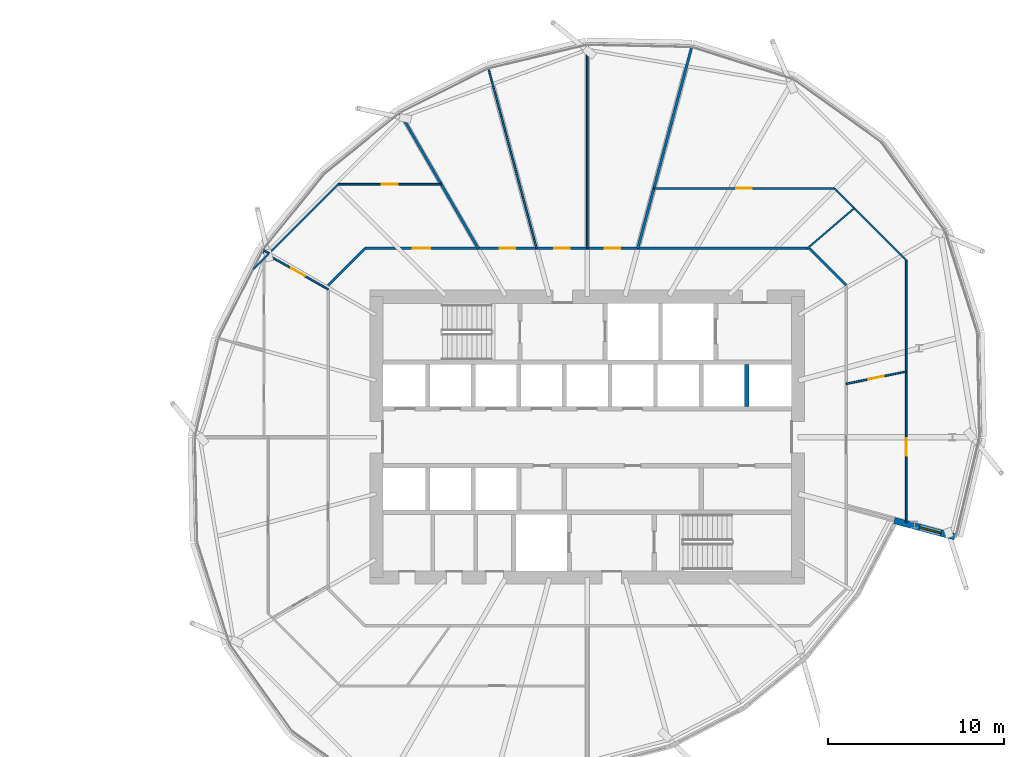
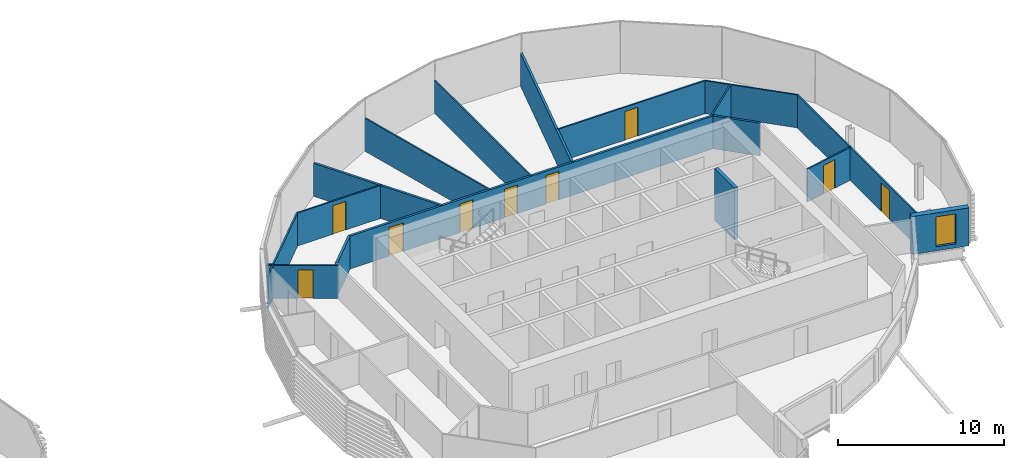
# One storey, part 26 of 40: 19 walls, 9 doors, 1 window, 10 openings.
"""IFC4 building model written with IfcOpenShell, lengths in metres."""

from ifc_helpers import new_model, si_unit, direction, frame, frame_2d, origin, place, context, subcontext, project, spatial, rectangle, extrude, material, layer, layer_set, type_object, element, fill, save


model = new_model("IFC4")

# Units and contexts
model_context = context("Model", 3, precision=1e-05, world=origin(), true_north=direction((0.0, 1.0)))
body_context = subcontext(model_context, "Body", "Model", "MODEL_VIEW")
ifc_project = project(units=[si_unit("LENGTHUNIT", "METRE"), si_unit("AREAUNIT", "SQUARE_METRE"), si_unit("VOLUMEUNIT", "CUBIC_METRE"), si_unit("PLANEANGLEUNIT", "RADIAN"), si_unit("MASSUNIT", "GRAM", prefix="KILO")], contexts=[model_context])

# Site, building, storey
site_placement = place(None, origin())
site = spatial("IfcSite", under=ifc_project, at=site_placement, CompositionType="ELEMENT")
building_placement = place(site_placement, origin())
building = spatial("IfcBuilding", under=site, at=building_placement, Name="Rimbun Link Towers", CompositionType="ELEMENT")
storey_placement = place(building_placement, frame((0.0, 0.0, 89.199951171875)))
storey = spatial("IfcBuildingStorey", under=building, at=storey_placement, Name="L21", CompositionType="ELEMENT", Elevation=89.199951171875)

# Wall, opening, window
ifc_material_1 = material(Name="Dark enamelled glass spandrel on insulated aluminium backpan", Category="aluminium")
ifc_layer_1 = layer(ifc_material_1, 0.3701171875)
ifc_layer_set_1 = layer_set([ifc_layer_1], Name="CS dark enamelled spandrel wall 370")
wall_type_1 = type_object("IfcWallType", Name="CS dark enamelled spandrel wall 370", PredefinedType="STANDARD", material=ifc_layer_set_1)
wall_1_placement = place(storey_placement, frame((52.697509765625, -5.68017578125, 0.0), z_axis=(0.0, 0.0, 1.0), x_axis=(-0.965929787715, 0.258804260405, 0.0)))
wall_1 = element("IfcWall", 1, at=wall_1_placement, inside=storey, type_object=wall_type_1, Name="Crease spandrel wall", PredefinedType="STANDARD", context=body_context, shape_type="SweptSolid", body=[
    extrude(rectangle(XDim=3.580078125, YDim=0.3701171875, at=frame_2d((1.7900390625, 0.0))), origin(), (0.0, 0.0, 1.0), 2.78955078125),
])
opening_1_placement = place(wall_1_placement, frame((0.83056640625, 0.0, 0.300048828125)))
opening_1 = element("IfcOpeningElement", 2, at=opening_1_placement, cuts=wall_1, Name="Opening WR12H220", PredefinedType="OPENING", context=body_context, shape_type="SweptSolid", body=[
    extrude(rectangle(XDim=1.25, YDim=2.199951171875, at=frame_2d((0.625, 1.10009765625))), frame((0.0, 0.195068359375, 0.0), z_axis=(0.0, -1.0, 0.0), x_axis=(1.0, 0.0, 0.0)), (0.0, 0.0, 1.0), 0.39013671875),
])
ifc_material_2 = material(Name="Aluminium framed fixed window, dark tinted low-e glass", Category="aluminium")
window_type = type_object("IfcWindowType", Name="WR ribbon window 1250X2200", PartitioningType="SINGLE_PANEL", PredefinedType="WINDOW", material=ifc_material_2)
window_placement = place(opening_1_placement, origin())
window = element("IfcWindow", 3, at=window_placement, inside=storey, type_object=window_type, Name="Crease ribbon window", OverallHeight=2.199951171875, OverallWidth=1.25, PartitioningType="SINGLE_PANEL", PredefinedType="WINDOW", context=body_context, shape_type="SweptSolid", body=[
    extrude(rectangle(XDim=1.25, YDim=2.199951171875, at=frame_2d((0.625, 1.10009765625))), frame((0.0, 0.030029296875, 0.0), z_axis=(0.0, -1.0, 0.0), x_axis=(1.0, 0.0, 0.0)), (0.0, 0.0, 1.0), 0.06005859375),
])
fill(opening_1, window)

# Wall, openings, doors
ifc_material_3 = material(Name="Plasterboard on steel stud, mineral wool", Category="steel")
ifc_layer_2 = layer(ifc_material_3, 0.14990234375)
ifc_layer_set_2 = layer_set([ifc_layer_2], Name="Corridor wall EI 30 150 mm")
wall_type_2 = type_object("IfcWallType", Name="Corridor wall EI 30 150 mm", PredefinedType="PARTITIONING", material=ifc_layer_set_2)
wall_2_placement = place(storey_placement, frame((19.098388671875, 10.75, 0.0), z_axis=(0.0, 0.0, 1.0), x_axis=(1.0, 0.0, 0.0)))
wall_2 = element("IfcWall", 4, at=wall_2_placement, inside=storey, type_object=wall_type_2, Name="Corridor wall EI 30 150 mm", PredefinedType="PARTITIONING", context=body_context, shape_type="SweptSolid", body=[
    extrude(rectangle(XDim=25.30322265625, YDim=0.14990234375, at=frame_2d((12.651611328125, 0.0))), origin(), (0.0, 0.0, 1.0), 2.420166015625),
])
opening_2_placement = place(wall_2_placement, frame((13.641845703125, 0.0, 0.0)))
opening_2 = element("IfcOpeningElement", 5, at=opening_2_placement, cuts=wall_2, Name="Opening D02", PredefinedType="OPENING", context=body_context, shape_type="SweptSolid", body=[
    extrude(rectangle(XDim=0.89990234375, YDim=2.10009765625, at=frame_2d((0.449951171875, 1.050048828125))), frame((0.0, 0.0849609375, 0.0), z_axis=(0.0, -1.0, 0.0), x_axis=(1.0, 0.0, 0.0)), (0.0, 0.0, 1.0), 0.169921875),
])
opening_3_placement = place(wall_2_placement, frame((10.761474609375, 0.0, 0.0)))
opening_3 = element("IfcOpeningElement", 6, at=opening_3_placement, cuts=wall_2, Name="Opening D02", PredefinedType="OPENING", context=body_context, shape_type="SweptSolid", body=[
    extrude(rectangle(XDim=0.89990234375, YDim=2.10009765625, at=frame_2d((0.449951171875, 1.050048828125))), frame((0.0, 0.0849609375, 0.0), z_axis=(0.0, -1.0, 0.0), x_axis=(1.0, 0.0, 0.0)), (0.0, 0.0, 1.0), 0.169921875),
])
opening_4_placement = place(wall_2_placement, frame((7.658203125, 0.0, 0.0)))
opening_4 = element("IfcOpeningElement", 7, at=opening_4_placement, cuts=wall_2, Name="Opening D02", PredefinedType="OPENING", context=body_context, shape_type="SweptSolid", body=[
    extrude(rectangle(XDim=0.89990234375, YDim=2.10009765625, at=frame_2d((0.449951171875, 1.050048828125))), frame((0.0, 0.0849609375, 0.0), z_axis=(0.0, -1.0, 0.0), x_axis=(1.0, 0.0, 0.0)), (0.0, 0.0, 1.0), 0.169921875),
])
opening_5_placement = place(wall_2_placement, frame((2.72265625, 0.0, 0.0)))
opening_5 = element("IfcOpeningElement", 8, at=opening_5_placement, cuts=wall_2, Name="Opening D01", PredefinedType="OPENING", context=body_context, shape_type="SweptSolid", body=[
    extrude(rectangle(XDim=1.0, YDim=2.10009765625, at=frame_2d((0.5, 1.050048828125))), frame((0.0, 0.0849609375, 0.0), z_axis=(0.0, -1.0, 0.0), x_axis=(1.0, 0.0, 0.0)), (0.0, 0.0, 1.0), 0.169921875),
])
ifc_material_4 = material(Name="Fire-resisting timber door leaf", Category="wood")
door_type_1 = type_object("IfcDoorType", Name="Fire door FD30S 1000", OperationType="NOTDEFINED", PredefinedType="DOOR", material=ifc_material_4)
door_1_placement = place(opening_5_placement, origin())
door_1 = element("IfcDoor", 9, at=door_1_placement, inside=storey, type_object=door_type_1, Name="Fire door FD30S 1000 to Reception", OperationType="SINGLE_SWING_LEFT", OverallHeight=2.10009765625, OverallWidth=1.0, PredefinedType="DOOR", context=body_context, shape_type="SweptSolid", body=[
    extrude(rectangle(XDim=1.0, YDim=2.10009765625, at=frame_2d((0.5, 1.050048828125))), frame((0.0, 0.02490234375, 0.0), z_axis=(0.0, -1.0, 0.0), x_axis=(1.0, 0.0, 0.0)), (0.0, 0.0, 1.0), 0.050048828125),
])
fill(opening_5, door_1)
ifc_material_5 = material(Name="Fire-resisting timber door leaf", Category="wood")
door_type_2 = type_object("IfcDoorType", Name="Fire door FD30S 900", OperationType="NOTDEFINED", PredefinedType="DOOR", material=ifc_material_5)
door_2_placement = place(opening_2_placement, origin())
door_2 = element("IfcDoor", 10, at=door_2_placement, inside=storey, type_object=door_type_2, Name="Fire door FD30S 900 to Cellular office", OperationType="SINGLE_SWING_RIGHT", OverallHeight=2.10009765625, OverallWidth=0.89990234375, PredefinedType="DOOR", context=body_context, shape_type="SweptSolid", body=[
    extrude(rectangle(XDim=0.89990234375, YDim=2.10009765625, at=frame_2d((0.449951171875, 1.050048828125))), frame((0.0, 0.02490234375, 0.0), z_axis=(0.0, -1.0, 0.0), x_axis=(1.0, 0.0, 0.0)), (0.0, 0.0, 1.0), 0.050048828125),
])
fill(opening_2, door_2)
door_3_placement = place(opening_3_placement, origin())
door_3 = element("IfcDoor", 11, at=door_3_placement, inside=storey, type_object=door_type_2, Name="Fire door FD30S 900 to Meeting room", OperationType="SINGLE_SWING_LEFT", OverallHeight=2.10009765625, OverallWidth=0.89990234375, PredefinedType="DOOR", context=body_context, shape_type="SweptSolid", body=[
    extrude(rectangle(XDim=0.89990234375, YDim=2.10009765625, at=frame_2d((0.449951171875, 1.050048828125))), frame((0.0, 0.02490234375, 0.0), z_axis=(0.0, -1.0, 0.0), x_axis=(1.0, 0.0, 0.0)), (0.0, 0.0, 1.0), 0.050048828125),
])
fill(opening_3, door_3)
door_4_placement = place(opening_4_placement, origin())
door_4 = element("IfcDoor", 12, at=door_4_placement, inside=storey, type_object=door_type_2, Name="Fire door FD30S 900 to Meeting room", OperationType="SINGLE_SWING_RIGHT", OverallHeight=2.10009765625, OverallWidth=0.89990234375, PredefinedType="DOOR", context=body_context, shape_type="SweptSolid", body=[
    extrude(rectangle(XDim=0.89990234375, YDim=2.10009765625, at=frame_2d((0.449951171875, 1.050048828125))), frame((0.0, 0.02490234375, 0.0), z_axis=(0.0, -1.0, 0.0), x_axis=(1.0, 0.0, 0.0)), (0.0, 0.0, 1.0), 0.050048828125),
])
fill(opening_4, door_4)

# Walls
for number, where, z_axis, x_axis, name in (
    (13, (46.5, 8.651611328125, 0.0), (0.0, 0.0, 1.0), (-0.707106781187, 0.707106781187, 0.0), "Corridor wall EI 30 150 mm"),
    (14, (19.098388671875, 10.75, 0.0), (0.0, 0.0, 1.0), (-0.707106781187, -0.707106781187, 0.0), "Corridor wall EI 30 150 mm"),
):
    element("IfcWall", number, at=place(storey_placement, frame(where, z_axis=z_axis, x_axis=x_axis)), inside=storey, type_object=wall_type_2, Name=name, PredefinedType="PARTITIONING", context=body_context, shape_type="SweptSolid", body=[
        extrude(rectangle(XDim=2.967529296875, YDim=0.14990234375, at=frame_2d((1.48388671875, 0.0))), origin(), (0.0, 0.0, 1.0), 2.420166015625),
    ])

# Wall, opening, door
ifc_material_6 = material(Name="Plasterboard on steel stud", Category="steel")
ifc_layer_3 = layer(ifc_material_6, 0.10009765625)
ifc_layer_set_3 = layer_set([ifc_layer_3], Name="Plasterboard partition 100 mm")
wall_type_3 = type_object("IfcWallType", Name="Plasterboard partition 100 mm", PredefinedType="PARTITIONING", material=ifc_layer_set_3)
wall_3_placement = place(storey_placement, frame((46.5, 3.032958984375, 0.0), z_axis=(0.0, 0.0, 1.0), x_axis=(0.979498454858, 0.201451673933, 0.0)))
wall_3 = element("IfcWall", 15, at=wall_3_placement, inside=storey, type_object=wall_type_3, Name="Plasterboard partition 100 mm", PredefinedType="PARTITIONING", context=body_context, shape_type="SweptSolid", body=[
    extrude(rectangle(XDim=3.491455078125, YDim=0.10009765625, at=frame_2d((1.74560546875, 0.0))), origin(), (0.0, 0.0, 1.0), 2.420166015625),
])
opening_6_placement = place(wall_3_placement, frame((1.2958984375, 0.0, 0.0)))
opening_6 = element("IfcOpeningElement", 16, at=opening_6_placement, cuts=wall_3, Name="Opening D04", PredefinedType="OPENING", context=body_context, shape_type="SweptSolid", body=[
    extrude(rectangle(XDim=0.89990234375, YDim=2.10009765625, at=frame_2d((0.449951171875, 1.050048828125))), frame((0.0, 0.06005859375, 0.0), z_axis=(0.0, -1.0, 0.0), x_axis=(1.0, 0.0, 0.0)), (0.0, 0.0, 1.0), 0.1201171875),
])
ifc_material_7 = material(Name="Timber door leaf", Category="wood")
door_type_3 = type_object("IfcDoorType", Name="Flush door 900", OperationType="NOTDEFINED", PredefinedType="DOOR", material=ifc_material_7)
door_5_placement = place(opening_6_placement, origin())
door_5 = element("IfcDoor", 17, at=door_5_placement, inside=storey, type_object=door_type_3, Name="Flush door 900 to Meeting room", OperationType="SINGLE_SWING_RIGHT", OverallHeight=2.10009765625, OverallWidth=0.89990234375, PredefinedType="DOOR", context=body_context, shape_type="SweptSolid", body=[
    extrude(rectangle(XDim=0.89990234375, YDim=2.10009765625, at=frame_2d((0.449951171875, 1.050048828125))), frame((0.0, 0.02490234375, 0.0), z_axis=(0.0, -1.0, 0.0), x_axis=(1.0, 0.0, 0.0)), (0.0, 0.0, 1.0), 0.050048828125),
])
fill(opening_6, door_5)

wall_4_placement = place(storey_placement, frame((49.919921875, 10.068359375, 0.0), z_axis=(0.0, 0.0, 1.0), x_axis=(0.0, -1.0, 0.0)))
wall_4 = element("IfcWall", 18, at=wall_4_placement, inside=storey, type_object=wall_type_3, Name="Plasterboard partition 100 mm", PredefinedType="PARTITIONING", context=body_context, shape_type="SweptSolid", body=[
    extrude(rectangle(XDim=14.93701171875, YDim=0.10009765625, at=frame_2d((7.468505859375, 0.0))), origin(), (0.0, 0.0, 1.0), 2.420166015625),
])
opening_7_placement = place(wall_4_placement, frame((10.119384765625, 0.0, 0.0)))
opening_7 = element("IfcOpeningElement", 19, at=opening_7_placement, cuts=wall_4, Name="Opening D03", PredefinedType="OPENING", context=body_context, shape_type="SweptSolid", body=[
    extrude(rectangle(XDim=1.0, YDim=2.10009765625, at=frame_2d((0.5, 1.050048828125))), frame((0.0, 0.06005859375, 0.0), z_axis=(0.0, -1.0, 0.0), x_axis=(1.0, 0.0, 0.0)), (0.0, 0.0, 1.0), 0.1201171875),
])
ifc_material_8 = material(Name="Timber door leaf", Category="wood")
door_type_4 = type_object("IfcDoorType", Name="Flush door 1000", OperationType="NOTDEFINED", PredefinedType="DOOR", material=ifc_material_8)
door_6_placement = place(opening_7_placement, origin())
door_6 = element("IfcDoor", 20, at=door_6_placement, inside=storey, type_object=door_type_4, Name="Flush door 1000 to Open office", OperationType="SINGLE_SWING_LEFT", OverallHeight=2.10009765625, OverallWidth=1.0, PredefinedType="DOOR", context=body_context, shape_type="SweptSolid", body=[
    extrude(rectangle(XDim=1.0, YDim=2.10009765625, at=frame_2d((0.5, 1.050048828125))), frame((0.0, 0.02490234375, 0.0), z_axis=(0.0, -1.0, 0.0), x_axis=(1.0, 0.0, 0.0)), (0.0, 0.0, 1.0), 0.050048828125),
])
fill(opening_7, door_6)

# Walls
wall_5_placement = place(storey_placement, frame((46.9541015625, 13.0341796875, 0.0), z_axis=(0.0, 0.0, 1.0), x_axis=(-0.759187849276, -0.650871576819, 0.0)))
element("IfcWall", 21, at=wall_5_placement, inside=storey, type_object=wall_type_3, Name="Plasterboard partition 100 mm", PredefinedType="PARTITIONING", context=body_context, shape_type="SweptSolid", body=[
    extrude(rectangle(XDim=3.509521484375, YDim=0.10009765625, at=frame_2d((1.7548828125, 0.0))), origin(), (0.0, 0.0, 1.0), 2.420166015625),
])
wall_6_placement = place(storey_placement, frame((49.919921875, 10.068359375, 0.0), z_axis=(0.0, 0.0, 1.0), x_axis=(-0.707106781187, 0.707106781187, 0.0)))
element("IfcWall", 22, at=wall_6_placement, inside=storey, type_object=wall_type_3, Name="Plasterboard partition 100 mm", PredefinedType="PARTITIONING", context=body_context, shape_type="SweptSolid", body=[
    extrude(rectangle(XDim=5.800537109375, YDim=0.10009765625, at=frame_2d((2.900390625, 0.0))), origin(), (0.0, 0.0, 1.0), 2.420166015625),
])

# Wall, opening, door
wall_7_placement = place(storey_placement, frame((45.818359375, 14.169921875, 0.0), z_axis=(0.0, 0.0, 1.0), x_axis=(-1.0, 0.0, 0.0)))
wall_7 = element("IfcWall", 23, at=wall_7_placement, inside=storey, type_object=wall_type_3, Name="Plasterboard partition 100 mm", PredefinedType="PARTITIONING", context=body_context, shape_type="SweptSolid", body=[
    extrude(rectangle(XDim=10.271484375, YDim=0.10009765625, at=frame_2d((5.1357421875, 0.0))), origin(), (0.0, 0.0, 1.0), 2.420166015625),
])
opening_8_placement = place(wall_7_placement, frame((4.685791015625, 0.0, 0.0)))
opening_8 = element("IfcOpeningElement", 24, at=opening_8_placement, cuts=wall_7, Name="Opening D04", PredefinedType="OPENING", context=body_context, shape_type="SweptSolid", body=[
    extrude(rectangle(XDim=0.89990234375, YDim=2.10009765625, at=frame_2d((0.449951171875, 1.050048828125))), frame((0.0, 0.06005859375, 0.0), z_axis=(0.0, -1.0, 0.0), x_axis=(1.0, 0.0, 0.0)), (0.0, 0.0, 1.0), 0.1201171875),
])
door_7_placement = place(opening_8_placement, origin())
door_7 = element("IfcDoor", 25, at=door_7_placement, inside=storey, type_object=door_type_3, Name="Flush door 900 to Print room", OperationType="SINGLE_SWING_RIGHT", OverallHeight=2.10009765625, OverallWidth=0.89990234375, PredefinedType="DOOR", context=body_context, shape_type="SweptSolid", body=[
    extrude(rectangle(XDim=0.89990234375, YDim=2.10009765625, at=frame_2d((0.449951171875, 1.050048828125))), frame((0.0, 0.02490234375, 0.0), z_axis=(0.0, -1.0, 0.0), x_axis=(1.0, 0.0, 0.0)), (0.0, 0.0, 1.0), 0.050048828125),
])
fill(opening_8, door_7)

# Walls
wall_8_placement = place(storey_placement, frame((31.75, 22.328369140625, 0.0), z_axis=(0.0, 0.0, 1.0), x_axis=(0.0, -1.0, 0.0)))
element("IfcWall", 26, at=wall_8_placement, inside=storey, type_object=wall_type_3, Name="Plasterboard partition 100 mm", PredefinedType="PARTITIONING", context=body_context, shape_type="SweptSolid", body=[
    extrude(rectangle(XDim=11.578369140625, YDim=0.10009765625, at=frame_2d((5.7890625, 0.0))), origin(), (0.0, 0.0, 1.0), 2.420166015625),
])
wall_9_placement = place(storey_placement, frame((26.12744140625, 20.983642578125, 0.0), z_axis=(0.0, 0.0, 1.0), x_axis=(0.258805579513, -0.965929434282, 0.0)))
element("IfcWall", 27, at=wall_9_placement, inside=storey, type_object=wall_type_3, Name="Plasterboard partition 100 mm", PredefinedType="PARTITIONING", context=body_context, shape_type="SweptSolid", body=[
    extrude(rectangle(XDim=10.5947265625, YDim=0.10009765625, at=frame_2d((5.29736328125, 0.0))), origin(), (0.0, 0.0, 1.0), 2.420166015625),
])

# Wall, opening, door
wall_10_placement = place(storey_placement, frame((17.0, 8.418212890625, 0.0), z_axis=(0.0, 0.0, 1.0), x_axis=(-0.868499362521, 0.495690283645, 0.0)))
wall_10 = element("IfcWall", 28, at=wall_10_placement, inside=storey, type_object=wall_type_3, Name="Plasterboard partition 100 mm", PredefinedType="PARTITIONING", context=body_context, shape_type="SweptSolid", body=[
    extrude(rectangle(XDim=4.337158203125, YDim=0.10009765625, at=frame_2d((2.16845703125, 0.0))), origin(), (0.0, 0.0, 1.0), 2.420166015625),
])
opening_9_placement = place(wall_10_placement, frame((1.53271484375, 0.0, 0.0)))
opening_9 = element("IfcOpeningElement", 29, at=opening_9_placement, cuts=wall_10, Name="Opening D04", PredefinedType="OPENING", context=body_context, shape_type="SweptSolid", body=[
    extrude(rectangle(XDim=0.89990234375, YDim=2.10009765625, at=frame_2d((0.449951171875, 1.050048828125))), frame((0.0, 0.06005859375, 0.0), z_axis=(0.0, -1.0, 0.0), x_axis=(1.0, 0.0, 0.0)), (0.0, 0.0, 1.0), 0.1201171875),
])
door_8_placement = place(opening_9_placement, origin())
door_8 = element("IfcDoor", 30, at=door_8_placement, inside=storey, type_object=door_type_3, Name="Flush door 900 to Meeting room", OperationType="SINGLE_SWING_RIGHT", OverallHeight=2.10009765625, OverallWidth=0.89990234375, PredefinedType="DOOR", context=body_context, shape_type="SweptSolid", body=[
    extrude(rectangle(XDim=0.89990234375, YDim=2.10009765625, at=frame_2d((0.449951171875, 1.050048828125))), frame((0.0, 0.02490234375, 0.0), z_axis=(0.0, -1.0, 0.0), x_axis=(1.0, 0.0, 0.0)), (0.0, 0.0, 1.0), 0.050048828125),
])
fill(opening_9, door_8)

wall_11_placement = place(storey_placement, frame((17.582275390625, 14.409912109375, 0.0), z_axis=(0.0, 0.0, 1.0), x_axis=(1.0, 0.0, 0.0)))
wall_11 = element("IfcWall", 31, at=wall_11_placement, inside=storey, type_object=wall_type_3, Name="Plasterboard partition 100 mm", PredefinedType="PARTITIONING", context=body_context, shape_type="SweptSolid", body=[
    extrude(rectangle(XDim=5.84814453125, YDim=0.10009765625, at=frame_2d((2.924072265625, 0.0))), origin(), (0.0, 0.0, 1.0), 2.420166015625),
])
opening_10_placement = place(wall_11_placement, frame((2.47412109375, 0.0, 0.0)))
opening_10 = element("IfcOpeningElement", 32, at=opening_10_placement, cuts=wall_11, Name="Opening D04", PredefinedType="OPENING", context=body_context, shape_type="SweptSolid", body=[
    extrude(rectangle(XDim=0.89990234375, YDim=2.10009765625, at=frame_2d((0.449951171875, 1.050048828125))), frame((0.0, 0.06005859375, 0.0), z_axis=(0.0, -1.0, 0.0), x_axis=(1.0, 0.0, 0.0)), (0.0, 0.0, 1.0), 0.1201171875),
])
door_9_placement = place(opening_10_placement, origin())
door_9 = element("IfcDoor", 33, at=door_9_placement, inside=storey, type_object=door_type_3, Name="Flush door 900 to Executive office", OperationType="SINGLE_SWING_LEFT", OverallHeight=2.10009765625, OverallWidth=0.89990234375, PredefinedType="DOOR", context=body_context, shape_type="SweptSolid", body=[
    extrude(rectangle(XDim=0.89990234375, YDim=2.10009765625, at=frame_2d((0.449951171875, 1.050048828125))), frame((0.0, 0.02490234375, 0.0), z_axis=(0.0, -1.0, 0.0), x_axis=(1.0, 0.0, 0.0)), (0.0, 0.0, 1.0), 0.050048828125),
])
fill(opening_10, door_9)

# Walls
wall_12_placement = place(storey_placement, frame((17.582275390625, 14.409912109375, 0.0), z_axis=(0.0, 0.0, 1.0), x_axis=(-0.707106781187, -0.707106781187, 0.0)))
element("IfcWall", 34, at=wall_12_placement, inside=storey, type_object=wall_type_3, Name="Plasterboard partition 100 mm", PredefinedType="PARTITIONING", context=body_context, shape_type="SweptSolid", body=[
    extrude(rectangle(XDim=5.585693359375, YDim=0.10009765625, at=frame_2d((2.79296875, 0.0))), origin(), (0.0, 0.0, 1.0), 2.420166015625),
])
wall_13_placement = place(storey_placement, frame((13.578125, 10.40576171875, 0.0), z_axis=(0.0, 0.0, 1.0), x_axis=(-0.707106781187, -0.707106781187, 0.0)))
element("IfcWall", 35, at=wall_13_placement, inside=storey, type_object=wall_type_3, Name="Plasterboard partition 100 mm", PredefinedType="PARTITIONING", context=body_context, shape_type="SweptSolid", body=[
    extrude(rectangle(XDim=1.1787109375, YDim=0.10009765625, at=frame_2d((0.58935546875, 0.0))), origin(), (0.0, 0.0, 1.0), 2.420166015625),
])
wall_14_placement = place(storey_placement, frame((13.2939453125, 10.655517578125, 0.0), z_axis=(0.0, 0.0, 1.0), x_axis=(0.866237568633, -0.499632339514, 0.0)))
element("IfcWall", 36, at=wall_14_placement, inside=storey, type_object=wall_type_3, Name="Plasterboard partition 100 mm", PredefinedType="PARTITIONING", context=body_context, shape_type="SweptSolid", body=[
    extrude(rectangle(XDim=0.390869140625, YDim=0.10009765625, at=frame_2d((0.1953125, 0.0))), origin(), (0.0, 0.0, 1.0), 2.420166015625),
])
ifc_material_9 = material(Name="Concrete C60/75", Category="concrete")
ifc_layer_4 = layer(ifc_material_9, 0.25)
ifc_layer_set_4 = layer_set([ifc_layer_4], Name="Shaft wall 250")
wall_type_4 = type_object("IfcWallType", Name="Shaft wall 250", PredefinedType="SHEAR", material=ifc_layer_set_4)
wall_15_placement = place(storey_placement, frame((40.83056640625, 1.75, 0.0), z_axis=(0.0, 0.0, 1.0), x_axis=(0.0, 1.0, 0.0)))
element("IfcWall", 37, at=wall_15_placement, inside=storey, type_object=wall_type_4, Name="L21 T2 core wall DN7", PredefinedType="SHEAR", context=body_context, shape_type="SweptSolid", body=[
    extrude(rectangle(XDim=2.39990234375, YDim=0.25, at=frame_2d((1.199951171875, 0.0))), origin(), (0.0, 0.0, 1.0), 3.800048828125),
])
ifc_material_10 = material(Name="Plasterboard on steel stud, mineral wool", Category="steel")
ifc_layer_5 = layer(ifc_material_10, 0.14990234375)
ifc_layer_set_5 = layer_set([ifc_layer_5], Name="Tenancy separation wall EI 60 150 mm")
wall_type_5 = type_object("IfcWallType", Name="Tenancy separation wall EI 60 150 mm", PredefinedType="PARTITIONING", material=ifc_layer_set_5)
wall_16_placement = place(storey_placement, frame((34.630615234375, 10.75, 0.0), z_axis=(0.0, 0.0, 1.0), x_axis=(0.258804356707, 0.965929761913, 0.0)))
element("IfcWall", 38, at=wall_16_placement, inside=storey, type_object=wall_type_5, Name="Tenancy separation wall EI 60 150 mm", PredefinedType="PARTITIONING", context=body_context, shape_type="SweptSolid", body=[
    extrude(rectangle(XDim=11.85693359375, YDim=0.14990234375, at=frame_2d((5.928466796875, 0.0))), origin(), (0.0, 0.0, 1.0), 2.420166015625),
])
wall_17_placement = place(storey_placement, frame((25.54345703125, 10.75, 0.0), z_axis=(0.0, 0.0, 1.0), x_axis=(-0.49999004235, 0.86603115276, 0.0)))
element("IfcWall", 39, at=wall_17_placement, inside=storey, type_object=wall_type_5, Name="Tenancy separation wall EI 60 150 mm", PredefinedType="PARTITIONING", context=body_context, shape_type="SweptSolid", body=[
    extrude(rectangle(XDim=8.898193359375, YDim=0.14990234375, at=frame_2d((4.44921875, 0.0))), origin(), (0.0, 0.0, 1.0), 2.420166015625),
])

save(model, "model.ifc")
